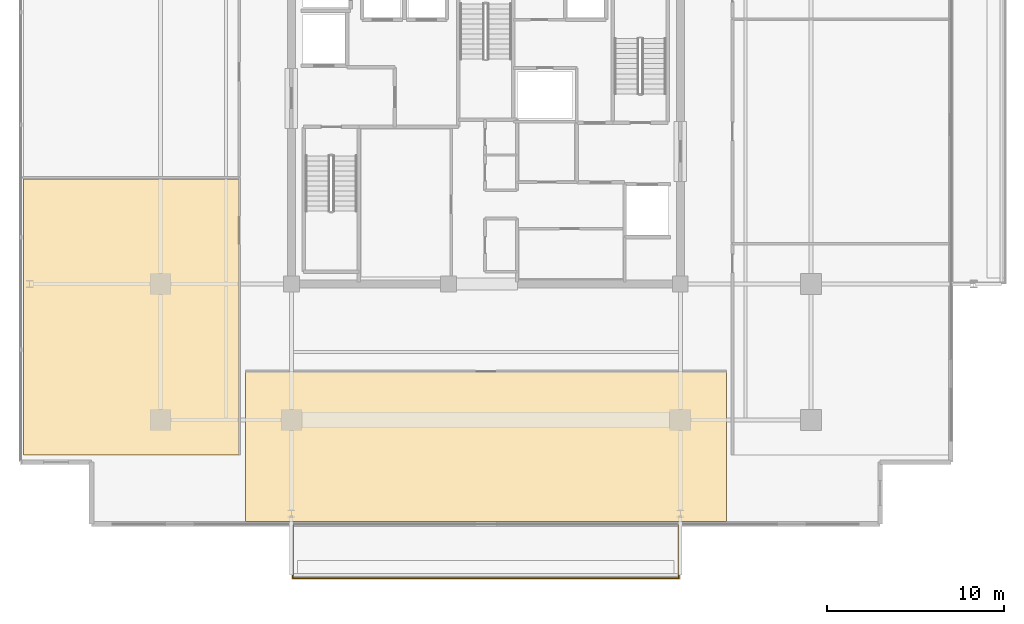
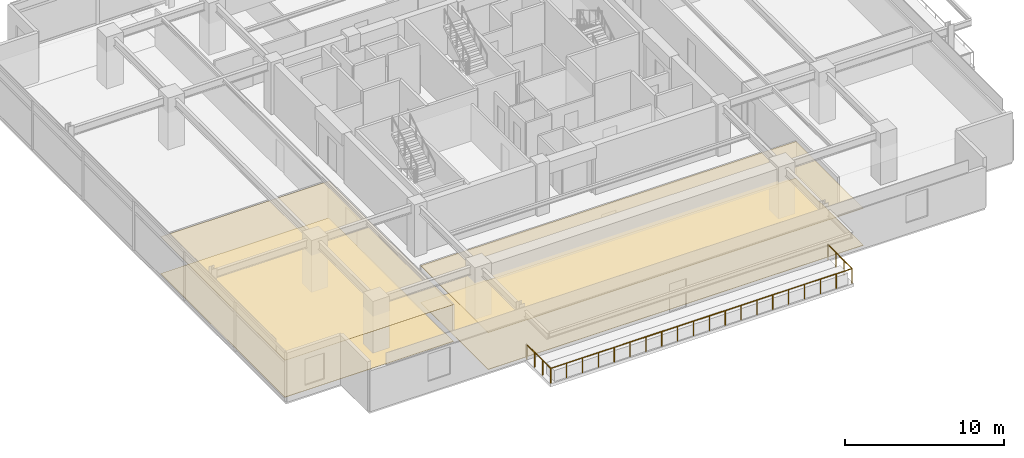
# One storey, part 17 of 21: 4 coverings, 1 railing.
"""IFC4 building model written with IfcOpenShell, lengths in metres."""

from ifc_helpers import new_model, si_unit, direction, frame, origin, origin_2d, place, context, subcontext, project, spatial, polyline, circle, outline, extrude, material, layer, layer_set, type_object, element, save


model = new_model("IFC4")

# Units and contexts
model_context = context("Model", 3, precision=1e-05, world=origin(), true_north=direction((0.0, 1.0)))
body_context = subcontext(model_context, "Body", "Model", "MODEL_VIEW")
ifc_project = project(units=[si_unit("LENGTHUNIT", "METRE"), si_unit("AREAUNIT", "SQUARE_METRE"), si_unit("VOLUMEUNIT", "CUBIC_METRE"), si_unit("PLANEANGLEUNIT", "RADIAN"), si_unit("MASSUNIT", "GRAM", prefix="KILO")], contexts=[model_context])

# Site, building, storey
site_placement = place(None, origin())
site = spatial("IfcSite", under=ifc_project, at=site_placement, CompositionType="ELEMENT")
building_placement = place(site_placement, origin())
building = spatial("IfcBuilding", under=site, at=building_placement, Name="Kovane Verandah Tower", CompositionType="ELEMENT")
storey_placement = place(building_placement, frame((0.0, 0.0, 263.199951171875)))
storey = spatial("IfcBuildingStorey", under=building, at=storey_placement, Name="L61", CompositionType="ELEMENT", Elevation=263.199951171875)

# Coverings
ifc_material_1 = material(Name="Perforated Acoustic Mineral-Fibre Ceiling Tile", Category="gypsum")
ifc_layer_1 = layer(ifc_material_1, 0.02490234375)
ifc_layer_set_1 = layer_set([ifc_layer_1], Name="Perforated Acoustic Mineral-Fibre Ceiling Tile")
covering_type_1 = type_object("IfcCoveringType", Name="CV-CEIL-25", PredefinedType="CEILING", material=ifc_layer_set_1)
covering_1_placement = place(storey_placement, frame((0.0, 0.0, 2.824951171875)))
element("IfcCovering", 1, at=covering_1_placement, inside=storey, type_object=covering_type_1, Name="L61 Executive Office S1 Acoustic Ceiling", PredefinedType="CEILING", context=body_context, shape_type="SweptSolid", body=[
    extrude(outline(polyline([(26.39990234375, 5.070068359375), (53.60009765625, 5.070068359375), (53.60009765625, 13.550048828125), (26.39990234375, 13.550048828125), (26.39990234375, 5.070068359375)])), origin(), (0.0, 0.0, 1.0), 0.025146484375),
])
covering_2_placement = place(storey_placement, frame((0.0, 0.0, 2.824951171875)))
element("IfcCovering", 2, at=covering_2_placement, inside=storey, type_object=covering_type_1, Name="L61 Client Boardroom W1 Acoustic Ceiling", PredefinedType="CEILING", context=body_context, shape_type="SweptSolid", body=[
    extrude(outline(polyline([(13.84228515625, 8.820068359375), (26.050048828125, 8.820068359375), (26.050048828125, 24.441162109375), (13.84228515625, 24.441162109375), (13.84228515625, 8.820068359375)])), origin(), (0.0, 0.0, 1.0), 0.025146484375),
])
ifc_material_2 = material(Name="Polished Terrazzo and Raised-Access Carpet Tile Finish", Category="concrete")
ifc_layer_2 = layer(ifc_material_2, 0.030029296875)
ifc_layer_set_2 = layer_set([ifc_layer_2], Name="Polished Terrazzo and Raised-Access Carpet Tile Finish")
covering_type_2 = type_object("IfcCoveringType", Name="CV-FLOR-30", PredefinedType="FLOORING", material=ifc_layer_set_2)
covering_3_placement = place(storey_placement, origin())
element("IfcCovering", 3, at=covering_3_placement, inside=storey, type_object=covering_type_2, Name="L61 Executive Office S1 Floor Finish", PredefinedType="FLOORING", context=body_context, shape_type="SweptSolid", body=[
    extrude(outline(polyline([(26.39990234375, 5.070068359375), (53.60009765625, 5.070068359375), (53.60009765625, 13.550048828125), (26.39990234375, 13.550048828125), (26.39990234375, 5.070068359375)])), origin(), (0.0, 0.0, 1.0), 0.030029296875),
])
covering_4_placement = place(storey_placement, origin())
element("IfcCovering", 4, at=covering_4_placement, inside=storey, type_object=covering_type_2, Name="L61 Client Boardroom W1 Floor Finish", PredefinedType="FLOORING", context=body_context, shape_type="SweptSolid", body=[
    extrude(outline(polyline([(13.84228515625, 8.820068359375), (26.050048828125, 8.820068359375), (26.050048828125, 24.441162109375), (13.84228515625, 24.441162109375), (13.84228515625, 8.820068359375)])), origin(), (0.0, 0.0, 1.0), 0.030029296875),
])

# Railing
ifc_material_3 = material(Name="Laminated Glass and Pale-Champagne Stainless Balustrade", Category="glass")
railing_type = type_object("IfcRailingType", Name="RL-BAL-1150", PredefinedType="BALUSTRADE", material=ifc_material_3)
railing_placement = place(storey_placement, frame((29.080078125, 4.8701171875, 0.0)))
element("IfcRailing", 5, at=railing_placement, inside=storey, type_object=railing_type, Name="L61 S Verandah Glass Balustrade", PredefinedType="BALUSTRADE", context=body_context, shape_type="SweptSolid", body=[
    extrude(circle(Radius=0.02392578125, at=origin_2d()), frame((0.0, 0.0, 1.1259765625), z_axis=(0.0, -1.0, 0.0), x_axis=(1.0, 0.0, 0.0)), (0.0, 0.0, 1.0), 3.02001953125),
    extrude(circle(Radius=0.02392578125, at=origin_2d()), frame((0.0, -3.02001953125, 1.1259765625), z_axis=(1.0, 0.0, 0.0), x_axis=(0.0, 1.0, 0.0)), (0.0, 0.0, 1.0), 21.83984375),
    extrude(circle(Radius=0.02392578125, at=origin_2d()), frame((21.83984375, -3.02001953125, 1.1259765625), z_axis=(0.0, 1.0, 0.0), x_axis=(-1.0, 0.0, 0.0)), (0.0, 0.0, 1.0), 3.02001953125),
    extrude(circle(Radius=0.02099609375, at=origin_2d()), origin(), (0.0, 0.0, 1.0), 1.101806640625),
    extrude(circle(Radius=0.02099609375, at=origin_2d()), frame((0.0, -1.006591796875, 0.0)), (0.0, 0.0, 1.0), 1.101806640625),
    extrude(circle(Radius=0.02099609375, at=origin_2d()), frame((0.0, -2.013427734375, 0.0)), (0.0, 0.0, 1.0), 1.101806640625),
    extrude(circle(Radius=0.02099609375, at=origin_2d()), frame((0.0, -3.02001953125, 0.0)), (0.0, 0.0, 1.0), 1.101806640625),
    extrude(circle(Radius=0.02099609375, at=origin_2d()), frame((1.1494140625, -3.02001953125, 0.0)), (0.0, 0.0, 1.0), 1.101806640625),
    extrude(circle(Radius=0.02099609375, at=origin_2d()), frame((2.298828125, -3.02001953125, 0.0)), (0.0, 0.0, 1.0), 1.101806640625),
    extrude(circle(Radius=0.02099609375, at=origin_2d()), frame((3.448486328125, -3.02001953125, 0.0)), (0.0, 0.0, 1.0), 1.101806640625),
    extrude(circle(Radius=0.02099609375, at=origin_2d()), frame((4.597900390625, -3.02001953125, 0.0)), (0.0, 0.0, 1.0), 1.101806640625),
    extrude(circle(Radius=0.02099609375, at=origin_2d()), frame((5.747314453125, -3.02001953125, 0.0)), (0.0, 0.0, 1.0), 1.101806640625),
    extrude(circle(Radius=0.02099609375, at=origin_2d()), frame((6.896728515625, -3.02001953125, 0.0)), (0.0, 0.0, 1.0), 1.101806640625),
    extrude(circle(Radius=0.02099609375, at=origin_2d()), frame((8.046142578125, -3.02001953125, 0.0)), (0.0, 0.0, 1.0), 1.101806640625),
    extrude(circle(Radius=0.02099609375, at=origin_2d()), frame((9.19580078125, -3.02001953125, 0.0)), (0.0, 0.0, 1.0), 1.101806640625),
    extrude(circle(Radius=0.02099609375, at=origin_2d()), frame((10.34521484375, -3.02001953125, 0.0)), (0.0, 0.0, 1.0), 1.101806640625),
    extrude(circle(Radius=0.02099609375, at=origin_2d()), frame((11.49462890625, -3.02001953125, 0.0)), (0.0, 0.0, 1.0), 1.101806640625),
    extrude(circle(Radius=0.02099609375, at=origin_2d()), frame((12.64404296875, -3.02001953125, 0.0)), (0.0, 0.0, 1.0), 1.101806640625),
    extrude(circle(Radius=0.02099609375, at=origin_2d()), frame((13.793701171875, -3.02001953125, 0.0)), (0.0, 0.0, 1.0), 1.101806640625),
    extrude(circle(Radius=0.02099609375, at=origin_2d()), frame((14.943115234375, -3.02001953125, 0.0)), (0.0, 0.0, 1.0), 1.101806640625),
    extrude(circle(Radius=0.02099609375, at=origin_2d()), frame((16.092529296875, -3.02001953125, 0.0)), (0.0, 0.0, 1.0), 1.101806640625),
    extrude(circle(Radius=0.02099609375, at=origin_2d()), frame((17.241943359375, -3.02001953125, 0.0)), (0.0, 0.0, 1.0), 1.101806640625),
    extrude(circle(Radius=0.02099609375, at=origin_2d()), frame((18.391357421875, -3.02001953125, 0.0)), (0.0, 0.0, 1.0), 1.101806640625),
    extrude(circle(Radius=0.02099609375, at=origin_2d()), frame((19.541015625, -3.02001953125, 0.0)), (0.0, 0.0, 1.0), 1.101806640625),
    extrude(circle(Radius=0.02099609375, at=origin_2d()), frame((20.6904296875, -3.02001953125, 0.0)), (0.0, 0.0, 1.0), 1.101806640625),
    extrude(circle(Radius=0.02099609375, at=origin_2d()), frame((21.83984375, -3.02001953125, 0.0)), (0.0, 0.0, 1.0), 1.101806640625),
    extrude(circle(Radius=0.02099609375, at=origin_2d()), frame((21.83984375, -2.013427734375, 0.0)), (0.0, 0.0, 1.0), 1.101806640625),
    extrude(circle(Radius=0.02099609375, at=origin_2d()), frame((21.83984375, -1.006591796875, 0.0)), (0.0, 0.0, 1.0), 1.101806640625),
    extrude(circle(Radius=0.02099609375, at=origin_2d()), frame((21.83984375, 0.0, 0.0)), (0.0, 0.0, 1.0), 1.101806640625),
])

save(model, "model.ifc")
